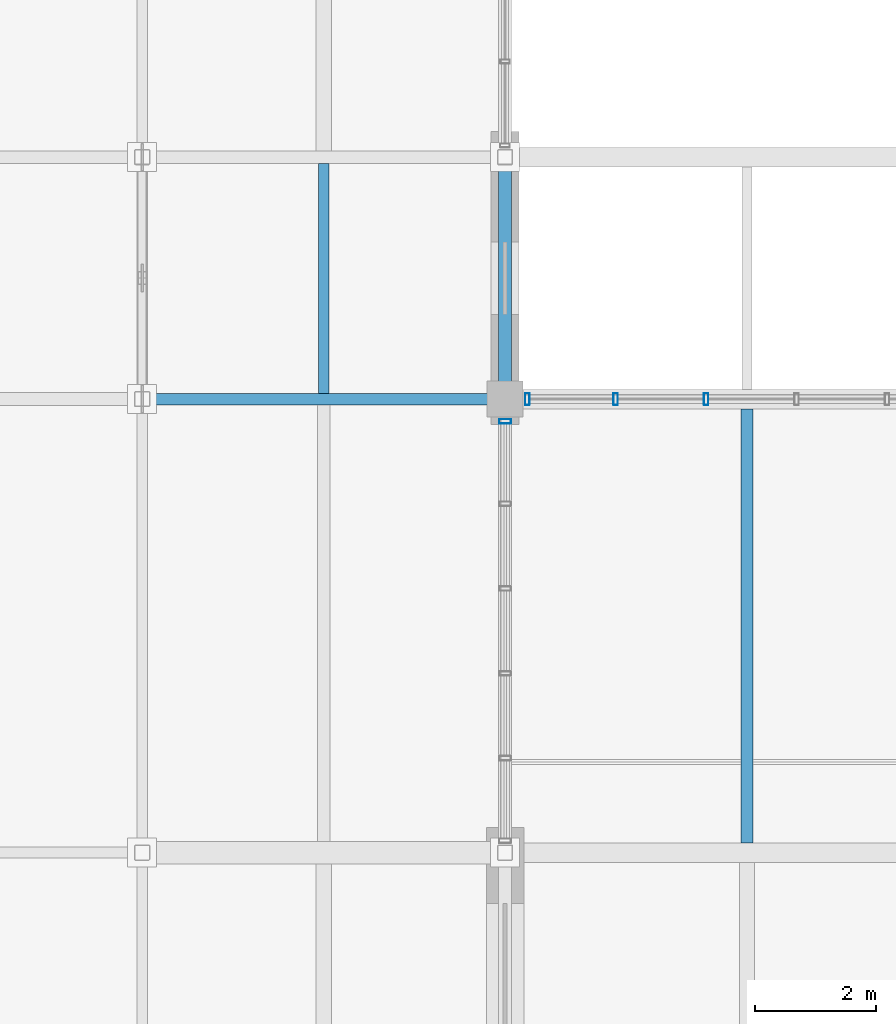
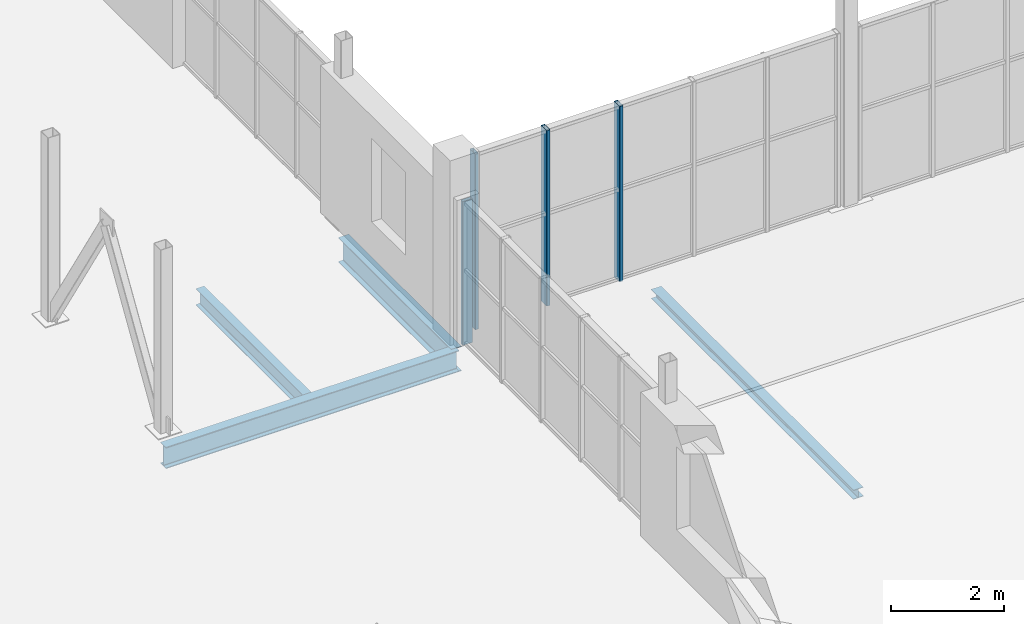
# One storey, part 20 of 96: 4 beams, 4 members, 2 elements without a shape of their own.
"""IFC4 building model written with IfcOpenShell, lengths in metres."""

import ifcopenshell
import ifcopenshell.guid

model = None  # the IFC model being written
_history = None  # IfcOwnerHistory: only IFC2X3 demands one
_inside = {}  # id of a spatial element -> (the spatial element, [elements in it])
_under = {}  # id of a project, library or spatial element -> (it, [spatial elements below it])
_declared = {}  # id of a project -> (the project, [libraries it declares])
_typed = {}  # id of a type object -> (the type object, [elements of that type])
_made_of = {}  # id of a material, layer set ... -> (it, [elements and type objects made of it])


def new_model(schema):
    """Start an empty IFC model of exactly this schema.

    Asked for "IFC4X3", IfcOpenShell would pick the latest addendum, in which some entities
    have other attributes; the version numbers below select the first issue.
    IFC2X3 requires an IfcOwnerHistory on every rooted entity: one is made here for all.
    """
    global model, _history
    if schema == "IFC4X3":
        model = ifcopenshell.file(schema_version=(4, 3, 0, 0))
    else:
        model = ifcopenshell.file(schema=schema)
    _inside.clear()
    _under.clear()
    _declared.clear()
    _typed.clear()
    _made_of.clear()
    _history = None
    if model.schema == "IFC2X3":
        org = make("IfcOrganization", Name="unknown")
        user = make(
            "IfcPersonAndOrganization",
            ThePerson=make("IfcPerson", FamilyName="unknown"),
            TheOrganization=org,
        )
        app = make(
            "IfcApplication",
            ApplicationDeveloper=org,
            Version="unknown",
            ApplicationFullName="unknown",
            ApplicationIdentifier="unknown",
        )
        _history = make(
            "IfcOwnerHistory",
            OwningUser=user,
            OwningApplication=app,
            ChangeAction="ADDED",
            CreationDate=0,
        )
    return model


def make(cls, **values):
    """One entity of the class cls with the attributes given. An attribute that is None is left unset."""
    return model.create_entity(
        cls, **{name: value for name, value in values.items() if value is not None}
    )


def rooted(cls, **values):
    """An entity with a GlobalId (a new one), such as an element, a storey or a relation."""
    return make(cls, GlobalId=ifcopenshell.guid.new(), OwnerHistory=_history, **values)


def si_unit(unit_type, name, prefix=None):
    """IfcSIUnit, for example si_unit("LENGTHUNIT", "METRE", prefix="MILLI")."""
    return make("IfcSIUnit", UnitType=unit_type, Prefix=prefix, Name=name)


def assignment(units):
    """IfcUnitAssignment: the units of a project."""
    return None if units is None else make("IfcUnitAssignment", Units=units)


def point(xyz):
    """IfcCartesianPoint."""
    return None if xyz is None else make("IfcCartesianPoint", Coordinates=xyz)


def direction(xyz):
    """IfcDirection."""
    return None if xyz is None else make("IfcDirection", DirectionRatios=xyz)


def frame(location, z_axis=None, x_axis=None):
    """IfcAxis2Placement3D, a coordinate frame: its origin and axes. An axis left out is left unset."""
    return make(
        "IfcAxis2Placement3D",
        Location=point(location),
        Axis=direction(z_axis),
        RefDirection=direction(x_axis),
    )


def frame_2d(location, x_axis=None):
    """IfcAxis2Placement2D, a coordinate frame in the plane: its origin and x axis."""
    return make(
        "IfcAxis2Placement2D", Location=point(location), RefDirection=direction(x_axis)
    )


def origin():
    """The frame at (0, 0, 0) with its axes left unset."""
    return frame((0.0, 0.0, 0.0))


def origin_2d():
    """The frame at (0, 0) in the plane with its x axis left unset."""
    return frame_2d((0.0, 0.0))


def place(relative_to, where):
    """IfcLocalPlacement: puts the frame where relative to a parent placement (None: the world)."""
    return make(
        "IfcLocalPlacement", PlacementRelTo=relative_to, RelativePlacement=where
    )


def context(
    kind, dimensions, precision=None, world=None, true_north=None, identifier=None
):
    """IfcGeometricRepresentationContext, for example the 3D "Model" context."""
    return make(
        "IfcGeometricRepresentationContext",
        ContextIdentifier=identifier,
        ContextType=kind,
        CoordinateSpaceDimension=dimensions,
        Precision=precision,
        WorldCoordinateSystem=world,
        TrueNorth=true_north,
    )


def subcontext(parent, identifier, kind, view, scale=None):
    """IfcGeometricRepresentationSubContext, for example "Body" below "Model"."""
    return make(
        "IfcGeometricRepresentationSubContext",
        ContextIdentifier=identifier,
        ContextType=kind,
        ParentContext=parent,
        TargetScale=scale,
        TargetView=view,
    )


def project(units=None, contexts=None):
    """IfcProject with its units and contexts."""
    return rooted(
        "IfcProject",
        Name="project",
        RepresentationContexts=contexts,
        UnitsInContext=assignment(units),
    )


def spatial(cls, under=None, at=None, **own):
    """A site, building, storey or space (cls), placed at a placement, below another one or the project."""
    s = rooted(cls, ObjectPlacement=at, **own)
    if under is not None:
        _under.setdefault(under.id(), (under, []))[1].append(s)
    return s


def profile(cls, at=None, kind="AREA", **sizes):
    """A parametric profile (cls). Its sizes go by their IFC names, for example OverallWidth=200.0."""
    return make(cls, ProfileType=kind, Position=at, **sizes)


def hollow_rectangle(**sizes):
    """IfcRectangleHollowProfileDef."""
    return profile("IfcRectangleHollowProfileDef", **sizes)


def i_section(**sizes):
    """IfcIShapeProfileDef."""
    return profile("IfcIShapeProfileDef", **sizes)


def extrude(swept, where, along, depth):
    """IfcExtrudedAreaSolid: the profile swept, set in the frame where, extruded along a direction by depth."""
    return make(
        "IfcExtrudedAreaSolid",
        SweptArea=swept,
        Position=where,
        ExtrudedDirection=direction(along),
        Depth=depth,
    )


def shape(context_of_items, identifier, shape_type, items):
    """IfcShapeRepresentation: the items that make up one representation, for example the "Body"."""
    return make(
        "IfcShapeRepresentation",
        ContextOfItems=context_of_items,
        RepresentationIdentifier=identifier,
        RepresentationType=shape_type,
        Items=items,
    )


def material(Name=None, Category=None):
    """IfcMaterial."""
    return make("IfcMaterial", Name=Name, Category=Category)


def material_profile(
    of_material, cross_section, Name=None, Category=None, Priority=None
):
    """IfcMaterialProfile: a cross section and its material."""
    return make(
        "IfcMaterialProfile",
        Name=Name,
        Material=of_material,
        Profile=cross_section,
        Priority=Priority,
        Category=Category,
    )


def profile_set(profiles, Name=None, composite=None):
    """IfcMaterialProfileSet."""
    return make(
        "IfcMaterialProfileSet",
        Name=Name,
        MaterialProfiles=profiles,
        CompositeProfile=composite,
    )


def made_of(thing, what):
    """Note that an element or type object is made of a material, layer set ...; save() writes the relation."""
    if what is not None:
        _made_of.setdefault(what.id(), (what, []))[1].append(thing)
    return thing


def type_object(cls, material=None, **own):
    """A type object (cls), such as IfcWallType, which elements share."""
    return made_of(rooted(cls, **own), material)


def element(
    cls,
    number,
    at=None,
    inside=None,
    cuts=None,
    type_object=None,
    material=None,
    context=None,
    identifier="Body",
    shape_type=None,
    held_by="IfcProductDefinitionShape",
    body=None,
    shapes=None,
    **own,
):
    """One element of the class cls, such as IfcWall. Its Tag is "e" and its number.

    at: its placement. inside: the storey or other place that contains it. cuts: it is an
    opening in that element (IfcRelVoidsElement). A single representation is given by context,
    identifier, shape_type and body (its items); several are given by shapes. held_by: the class
    of the entity that holds the representations. save() writes the other relations.
    """
    e = rooted(cls, Tag="e%d" % number, ObjectPlacement=at, **own)
    if body is not None:
        shapes = [shape(context, identifier, shape_type, body)]
    if shapes is not None:
        e.Representation = make(held_by, Representations=shapes)
    if inside is not None:
        _inside.setdefault(inside.id(), (inside, []))[1].append(e)
    if cuts is not None:
        rooted(
            "IfcRelVoidsElement", RelatingBuildingElement=cuts, RelatedOpeningElement=e
        )
    if type_object is not None:
        _typed.setdefault(type_object.id(), (type_object, []))[1].append(e)
    return made_of(e, material)


def aggregate(whole, parts):
    """IfcRelAggregates: a whole, such as a stair, and the parts it consists of."""
    return rooted("IfcRelAggregates", RelatingObject=whole, RelatedObjects=parts)


def save(model, path):
    """Write the relations noted so far, then the file.

    IfcRelAggregates (storeys below a building ...), IfcRelContainedInSpatialStructure (elements
    in a storey), IfcRelDefinesByType, IfcRelAssociatesMaterial and IfcRelDeclares: one each for
    every whole, place, type object, material and project.
    """
    for whole, parts in _under.values():
        aggregate(whole, parts)
    for where, things in _inside.values():
        rooted(
            "IfcRelContainedInSpatialStructure",
            RelatedElements=things,
            RelatingStructure=where,
        )
    for kind, things in _typed.values():
        rooted("IfcRelDefinesByType", RelatedObjects=things, RelatingType=kind)
    for what, things in _made_of.values():
        rooted("IfcRelAssociatesMaterial", RelatedObjects=things, RelatingMaterial=what)
    for by, libraries in _declared.values():
        rooted("IfcRelDeclares", RelatingContext=by, RelatedDefinitions=libraries)
    model.write(path)


model = new_model("IFC4")

# Units and contexts
model_context = context("Model", 3, precision=1e-05, world=origin(), true_north=direction((0.0, 1.0)))
body_context = subcontext(model_context, "Body", "Model", "MODEL_VIEW")
ifc_project = project(units=[si_unit("LENGTHUNIT", "METRE"), si_unit("AREAUNIT", "SQUARE_METRE"), si_unit("VOLUMEUNIT", "CUBIC_METRE"), si_unit("PLANEANGLEUNIT", "RADIAN"), si_unit("MASSUNIT", "GRAM", prefix="KILO")], contexts=[model_context])

# Site, building, storey
site_placement = place(None, origin())
site = spatial("IfcSite", under=ifc_project, at=site_placement, CompositionType="ELEMENT")
building_placement = place(site_placement, origin())
building = spatial("IfcBuilding", under=site, at=building_placement, Name="Verrall Gate Interchange", CompositionType="ELEMENT")
storey_placement = place(building_placement, frame((0.0, 0.0, 11.39990234375)))
storey = spatial("IfcBuildingStorey", under=building, at=storey_placement, Name="L03", CompositionType="ELEMENT", Elevation=11.39990234375)

# Beams
ifc_material_1 = material(Name="Structural Steel CSA G40.21 350W", Category="steel")
ifc_material_profile_1 = material_profile(ifc_material_1, i_section(OverallWidth=0.2109375, OverallDepth=0.5390625, WebThickness=0.01171875, FlangeThickness=0.018798828125, FilletRadius=0.013916015625, at=origin_2d()), Name="W530x109")
ifc_profile_set_1 = profile_set([ifc_material_profile_1], Name="Structural Steel CSA G40.21 350W")
beam_type_1 = type_object("IfcBeamType", Name="B-10 Structural Beam W530x109", PredefinedType="BEAM", material=ifc_profile_set_1)
beam_1_placement = place(storey_placement, frame((36.0, 12.0, -0.599365234375), z_axis=(0.0, 1.0, 0.0), x_axis=(-1.0, 0.0, 0.0)))
element("IfcBeam", 1, at=beam_1_placement, inside=storey, type_object=beam_type_1, Name="L03 Girder BM-L03-2260 (B-10)", PredefinedType="BEAM", context=body_context, shape_type="SweptSolid", body=[
    extrude(i_section(OverallWidth=0.2109375, OverallDepth=0.5390625, WebThickness=0.01171875, FlangeThickness=0.018798828125, FilletRadius=0.013916015625, at=origin_2d()), origin(), (0.0, 0.0, 1.0), 4.0),
])
ifc_material_2 = material(Name="Structural Steel CSA G40.21 350W", Category="steel")
ifc_material_profile_2 = material_profile(ifc_material_2, i_section(OverallWidth=0.19189453125, OverallDepth=0.462890625, WebThickness=0.010498046875, FlangeThickness=0.017578125, FilletRadius=0.012939453125, at=origin_2d()), Name="W460x89")
ifc_profile_set_2 = profile_set([ifc_material_profile_2], Name="Structural Steel CSA G40.21 350W")
beam_type_2 = type_object("IfcBeamType", Name="B-11 Structural Beam W460x89", PredefinedType="BEAM", material=ifc_profile_set_2)
beam_2_placement = place(storey_placement, frame((30.0, 12.0, -0.5615234375), z_axis=(1.0, 0.0, 0.0), x_axis=(0.0, 1.0, 0.0)))
element("IfcBeam", 2, at=beam_2_placement, inside=storey, type_object=beam_type_2, Name="L03 Girder BM-L03-2011 (B-11)", PredefinedType="BEAM", context=body_context, shape_type="SweptSolid", body=[
    extrude(i_section(OverallWidth=0.19189453125, OverallDepth=0.462890625, WebThickness=0.010498046875, FlangeThickness=0.017578125, FilletRadius=0.012939453125, at=origin_2d()), origin(), (0.0, 0.0, 1.0), 6.0),
])

# Curtain wall, member
ifc_material_3 = material(Name="Thermally Broken Anodized Aluminium Curtain Wall Framing", Category="aluminium")
curtain_wall_type_1 = type_object("IfcCurtainWallType", Name="CW-30 Unitized Curtain Wall 7009x3110", PredefinedType="NOTDEFINED", material=ifc_material_3)
curtain_wall_1_placement = place(storey_placement, origin())
curtain_wall_1 = element("IfcCurtainWall", 3, at=curtain_wall_1_placement, inside=storey, type_object=curtain_wall_type_1, Name="L03 Unitized Curtain Wall CW-L03-103", PredefinedType="NOTDEFINED")
ifc_material_4 = material(Name="Thermally Broken Anodized Aluminium Curtain Wall Framing", Category="aluminium")
ifc_material_profile_3 = material_profile(ifc_material_4, hollow_rectangle(XDim=0.074951171875, YDim=0.199951171875, WallThickness=0.0048828125, InnerFilletRadius=0.0048828125, OuterFilletRadius=0.010009765625, at=origin_2d()), Name="CWM200x75x5")
ifc_profile_set_3 = profile_set([ifc_material_profile_3], Name="Thermally Broken Anodized Aluminium Curtain Wall Framing")
member_type = type_object("IfcMemberType", Name="CM-02 Curtain Mullion CWM200x75x5", PredefinedType="MULLION", material=ifc_profile_set_3)
member_1_placement = place(storey_placement, frame((36.0, 11.630615234375, 0.0), z_axis=(0.0, 0.0, 1.0), x_axis=(0.0, 1.0, 0.0)))
member_1 = element("IfcMember", 4, at=member_1_placement, type_object=member_type, Name="CW-L03-103 Mullion 6", PredefinedType="MULLION", context=body_context, shape_type="SweptSolid", body=[
    extrude(hollow_rectangle(XDim=0.074951171875, YDim=0.199951171875, WallThickness=0.0048828125, InnerFilletRadius=0.0048828125, OuterFilletRadius=0.010009765625, at=origin_2d()), origin(), (0.0, 0.0, 1.0), 3.110107421875),
])
aggregate(curtain_wall_1, [member_1])

# Curtain wall, members
ifc_material_5 = material(Name="Thermally Broken Anodized Aluminium Curtain Wall Framing", Category="aluminium")
curtain_wall_type_2 = type_object("IfcCurtainWallType", Name="CW-52 Unitized Curtain Wall 7484x3800", PredefinedType="NOTDEFINED", material=ifc_material_5)
curtain_wall_2_placement = place(storey_placement, origin())
curtain_wall_2 = element("IfcCurtainWall", 5, at=curtain_wall_2_placement, inside=storey, type_object=curtain_wall_type_2, Name="L03 Unitized Curtain Wall CW-L03-CLR-164", PredefinedType="NOTDEFINED")
member_2_placement = place(storey_placement, frame((36.369384765625, 12.0, 0.0), z_axis=(0.0, 0.0, 1.0), x_axis=(1.0, 0.0, 0.0)))
member_2 = element("IfcMember", 6, at=member_2_placement, type_object=member_type, Name="CW-L03-CLR-164 Mullion 1", PredefinedType="MULLION", context=body_context, shape_type="SweptSolid", body=[
    extrude(hollow_rectangle(XDim=0.074951171875, YDim=0.199951171875, WallThickness=0.0048828125, InnerFilletRadius=0.0048828125, OuterFilletRadius=0.010009765625, at=origin_2d()), origin(), (0.0, 0.0, 1.0), 3.800048828125),
])
member_3_placement = place(storey_placement, frame((37.82861328125, 12.0, 0.0), z_axis=(0.0, 0.0, 1.0), x_axis=(1.0, 0.0, 0.0)))
member_3 = element("IfcMember", 7, at=member_3_placement, type_object=member_type, Name="CW-L03-CLR-164 Mullion 2", PredefinedType="MULLION", context=body_context, shape_type="SweptSolid", body=[
    extrude(hollow_rectangle(XDim=0.074951171875, YDim=0.199951171875, WallThickness=0.0048828125, InnerFilletRadius=0.0048828125, OuterFilletRadius=0.010009765625, at=origin_2d()), origin(), (0.0, 0.0, 1.0), 3.800048828125),
])
member_4_placement = place(storey_placement, frame((39.325439453125, 12.0, 0.0), z_axis=(0.0, 0.0, 1.0), x_axis=(1.0, 0.0, 0.0)))
member_4 = element("IfcMember", 8, at=member_4_placement, type_object=member_type, Name="CW-L03-CLR-164 Mullion 3", PredefinedType="MULLION", context=body_context, shape_type="SweptSolid", body=[
    extrude(hollow_rectangle(XDim=0.074951171875, YDim=0.199951171875, WallThickness=0.0048828125, InnerFilletRadius=0.0048828125, OuterFilletRadius=0.010009765625, at=origin_2d()), origin(), (0.0, 0.0, 1.0), 3.800048828125),
])
aggregate(curtain_wall_2, [member_2, member_3, member_4])

# Beams
ifc_material_6 = material(Name="Structural Steel CSA G40.21 350W", Category="steel")
ifc_material_profile_4 = material_profile(ifc_material_6, i_section(OverallWidth=0.172119140625, OverallDepth=0.35791015625, WebThickness=0.0078125, FlangeThickness=0.01318359375, FilletRadius=0.010986328125, at=origin_2d()), Name="W360x57")
ifc_profile_set_4 = profile_set([ifc_material_profile_4], Name="Structural Steel CSA G40.21 350W")
beam_type_3 = type_object("IfcBeamType", Name="J-01 Floor Joist W360x57", PredefinedType="JOIST", material=ifc_profile_set_4)
beam_3_placement = place(storey_placement, frame((33.0, 12.095947265625, -0.5087890625), z_axis=(0.0, 1.0, 0.0), x_axis=(-1.0, 0.0, 0.0)))
element("IfcBeam", 9, at=beam_3_placement, inside=storey, type_object=beam_type_3, Name="L03 Secondary Floor Joist JST-L03-2410", PredefinedType="JOIST", context=body_context, shape_type="SweptSolid", body=[
    extrude(i_section(OverallWidth=0.172119140625, OverallDepth=0.35791015625, WebThickness=0.0078125, FlangeThickness=0.01318359375, FilletRadius=0.010986328125, at=origin_2d()), origin(), (0.0, 0.0, 1.0), 3.798583984375),
])
ifc_material_7 = material(Name="Structural Steel CSA G40.21 350W", Category="steel")
ifc_material_profile_5 = material_profile(ifc_material_7, i_section(OverallWidth=0.202880859375, OverallDepth=0.202880859375, WebThickness=0.007080078125, FlangeThickness=0.010986328125, FilletRadius=0.010009765625, at=origin_2d()), Name="W200x46")
ifc_profile_set_5 = profile_set([ifc_material_profile_5], Name="Structural Steel CSA G40.21 350W")
beam_type_4 = type_object("IfcBeamType", Name="J-07 Floor Joist W200x46", PredefinedType="JOIST", material=ifc_profile_set_5)
beam_4_placement = place(storey_placement, frame((40.0, 4.662109375, -0.431396484375), z_axis=(0.0, 1.0, 0.0), x_axis=(-1.0, 0.0, 0.0)))
element("IfcBeam", 10, at=beam_4_placement, inside=storey, type_object=beam_type_4, Name="L03 Secondary Floor Joist JST-L03-2398", PredefinedType="JOIST", context=body_context, shape_type="SweptSolid", body=[
    extrude(i_section(OverallWidth=0.202880859375, OverallDepth=0.202880859375, WebThickness=0.007080078125, FlangeThickness=0.010986328125, FilletRadius=0.010009765625, at=origin_2d()), origin(), (0.0, 0.0, 1.0), 7.17578125),
])

save(model, "model.ifc")
